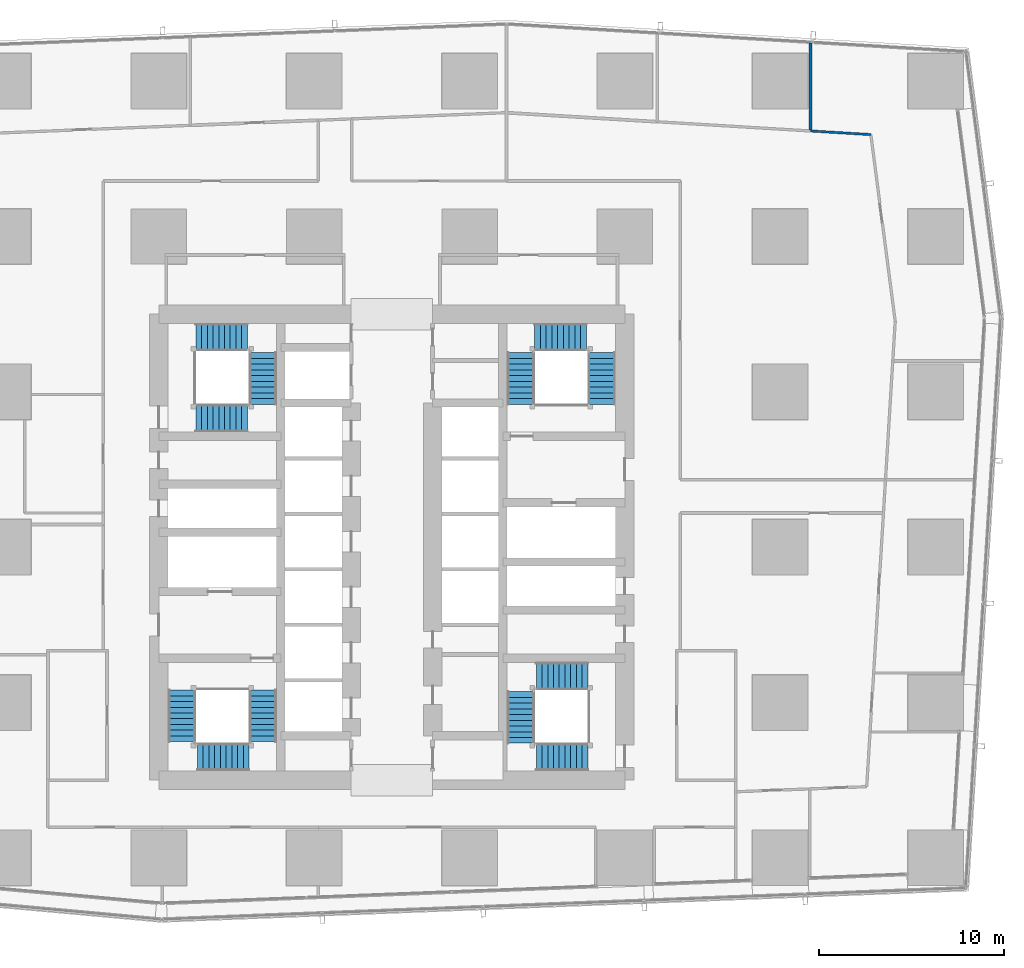
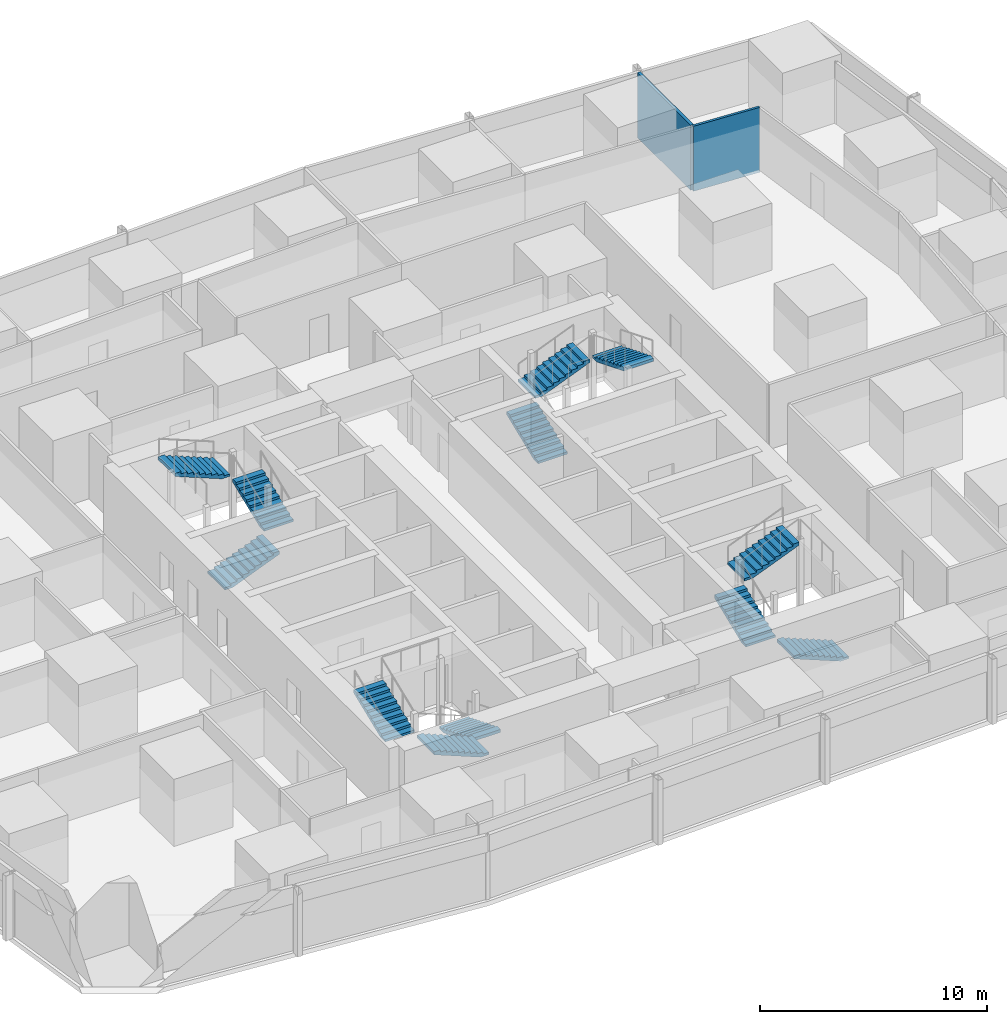
# One storey, part 32 of 39: 12 stair flights, 2 walls, 4 elements without a shape of their own.
"""IFC4 building model written with IfcOpenShell, lengths in metres."""

from ifc_helpers import new_model, si_unit, direction, frame, frame_2d, origin, place, context, subcontext, project, spatial, polyline, rectangle, outline, extrude, material, layer, layer_set, type_object, element, aggregate, save


model = new_model("IFC4")

# Units and contexts
model_context = context("Model", 3, precision=1e-05, world=origin(), true_north=direction((0.0, 1.0)))
body_context = subcontext(model_context, "Body", "Model", "MODEL_VIEW")
ifc_project = project(units=[si_unit("LENGTHUNIT", "METRE"), si_unit("AREAUNIT", "SQUARE_METRE"), si_unit("VOLUMEUNIT", "CUBIC_METRE"), si_unit("PLANEANGLEUNIT", "RADIAN"), si_unit("MASSUNIT", "GRAM", prefix="KILO")], contexts=[model_context])

# Site, building, storey
site_placement = place(None, origin())
site = spatial("IfcSite", under=ifc_project, at=site_placement, CompositionType="ELEMENT")
building_placement = place(site_placement, origin())
building = spatial("IfcBuilding", under=site, at=building_placement, Name="Rekha Terrace Tower", CompositionType="ELEMENT")
storey_placement = place(building_placement, frame((0.0, 0.0, 155.300048828125)))
storey = spatial("IfcBuildingStorey", under=building, at=storey_placement, Name="L39", CompositionType="ELEMENT", Elevation=155.300048828125)

# Walls
ifc_material_1 = material(Name="Concrete block masonry, 1 hour", Category="masonry")
ifc_layer_1 = layer(ifc_material_1, 0.14990234375)
ifc_layer_set_1 = layer_set([ifc_layer_1], Name="Concrete block masonry, 1 hour")
wall_type_1 = type_object("IfcWallType", Name="WP2 150 tenancy partition", PredefinedType="PARTITIONING", material=ifc_layer_set_1)
wall_1_placement = place(storey_placement, frame((60.43408203125, 56.1689453125, 0.0), z_axis=(0.0, 0.0, 1.0), x_axis=(0.0, 1.0, 0.0)))
element("IfcWall", 1, at=wall_1_placement, inside=storey, type_object=wall_type_1, Name="Partition L39-O1", PredefinedType="PARTITIONING", context=body_context, shape_type="SweptSolid", body=[
    extrude(rectangle(XDim=4.695068359375, YDim=0.14990234375, at=frame_2d((2.34765625, 0.0))), origin(), (0.0, 0.0, 1.0), 3.5),
])
ifc_material_2 = material(Name="Two layers of fire-rated gypsum board each side on steel studs, acoustic quilt, 1 hour", Category="steel")
ifc_layer_2 = layer(ifc_material_2, 0.125)
ifc_layer_set_2 = layer_set([ifc_layer_2], Name="Two layers of fire-rated gypsum board each side on steel studs, acoustic quilt, 1 hour")
wall_type_2 = type_object("IfcWallType", Name="WP3 125 office partition", PredefinedType="PARTITIONING", material=ifc_layer_set_2)
wall_2_placement = place(storey_placement, frame((63.700927734375, 55.909912109375, 0.0), z_axis=(0.0, 0.0, 1.0), x_axis=(-0.998203149813, 0.059920544913, 0.0)))
element("IfcWall", 2, at=wall_2_placement, inside=storey, type_object=wall_type_2, Name="Partition L39-08", PredefinedType="PARTITIONING", context=body_context, shape_type="SweptSolid", body=[
    extrude(rectangle(XDim=3.271728515625, YDim=0.125, at=frame_2d((1.6357421875, 0.0))), origin(), (0.0, 0.0, 1.0), 3.5),
])

# Stair, stair flights
ifc_material_3 = material(Name="Concrete M40", Category="concrete")
stair_type = type_object("IfcStairType", Name="ST30 stair, 30 risers of 125, going 310, 1500 wide flights, 3 flights", PredefinedType="HALF_TURN_STAIR", material=ifc_material_3)
stair_1_placement = place(storey_placement, origin())
stair_1 = element("IfcStair", 3, at=stair_1_placement, inside=storey, type_object=stair_type, Name="Stair ST1 L39 to L40", PredefinedType="HALF_TURN_STAIR")
stair_flight_type = type_object("IfcStairFlightType", Name="SF10 stair flight, 10 risers of 125, going 310, 1500 wide", PredefinedType="STRAIGHT", material=ifc_material_3)
stair_flight_1_placement = place(storey_placement, frame((30.824951171875, 25.875, 0.0), z_axis=(0.0, 0.0, 1.0), x_axis=(0.0, -1.0, 0.0)))
stair_flight_1 = element("IfcStairFlight", 4, at=stair_flight_1_placement, type_object=stair_flight_type, Name="ST1 flight 1", NumberOfRisers=10, NumberOfTreads=9, PredefinedType="STRAIGHT", RiserHeight=0.125, TreadLength=0.31, context=body_context, shape_type="SweptSolid", body=[
    extrude(outline(polyline([(0.0, 0.0), (0.0, 0.125), (0.31005859375, 0.125), (0.31005859375, 0.25), (0.6201171875, 0.25), (0.6201171875, 0.375), (0.929931640625, 0.375), (0.929931640625, 0.5), (1.239990234375, 0.5), (1.239990234375, 0.625), (1.550048828125, 0.625), (1.550048828125, 0.75), (1.860107421875, 0.75), (1.860107421875, 0.875), (2.169921875, 0.875), (2.169921875, 1.0), (2.47998046875, 1.0), (2.47998046875, 1.125), (2.7900390625, 1.125), (2.7900390625, 1.25), (2.7900390625, 0.96337890625), (0.40087890625, 0.0), (0.0, 0.0)])), frame((0.0, 0.75, 0.0), z_axis=(0.0, -1.0, 0.0), x_axis=(1.0, 0.0, 0.0)), (0.0, 0.0, 1.0), 1.5),
])
stair_flight_2_placement = place(storey_placement, frame((30.074951171875, 22.25, 1.25), z_axis=(0.0, 0.0, 1.0), x_axis=(-1.0, 0.0, 0.0)))
stair_flight_2 = element("IfcStairFlight", 5, at=stair_flight_2_placement, type_object=stair_flight_type, Name="ST1 flight 2", NumberOfRisers=10, NumberOfTreads=9, PredefinedType="STRAIGHT", RiserHeight=0.125, TreadLength=0.31, context=body_context, shape_type="SweptSolid", body=[
    extrude(outline(polyline([(0.0, 0.0), (0.0, 0.125), (0.31005859375, 0.125), (0.31005859375, 0.25), (0.6201171875, 0.25), (0.6201171875, 0.375), (0.929931640625, 0.375), (0.929931640625, 0.5), (1.239990234375, 0.5), (1.239990234375, 0.625), (1.550048828125, 0.625), (1.550048828125, 0.75), (1.860107421875, 0.75), (1.860107421875, 0.875), (2.169921875, 0.875), (2.169921875, 1.0), (2.47998046875, 1.0), (2.47998046875, 1.125), (2.7900390625, 1.125), (2.7900390625, 1.25), (2.7900390625, 0.96337890625), (0.40087890625, 0.0), (0.0, 0.0)])), frame((0.0, 0.75, 0.0), z_axis=(0.0, -1.0, 0.0), x_axis=(1.0, 0.0, 0.0)), (0.0, 0.0, 1.0), 1.5),
])
stair_flight_3_placement = place(storey_placement, frame((26.449951171875, 23.0849609375, 2.5), z_axis=(0.0, 0.0, 1.0), x_axis=(0.0, 1.0, 0.0)))
stair_flight_3 = element("IfcStairFlight", 6, at=stair_flight_3_placement, type_object=stair_flight_type, Name="ST1 flight 3", NumberOfRisers=10, NumberOfTreads=9, PredefinedType="STRAIGHT", RiserHeight=0.125, TreadLength=0.31, context=body_context, shape_type="SweptSolid", body=[
    extrude(outline(polyline([(0.0, 0.0), (0.0, 0.125), (0.31005859375, 0.125), (0.31005859375, 0.25), (0.6201171875, 0.25), (0.6201171875, 0.375), (0.929931640625, 0.375), (0.929931640625, 0.5), (1.239990234375, 0.5), (1.239990234375, 0.625), (1.550048828125, 0.625), (1.550048828125, 0.75), (1.860107421875, 0.75), (1.860107421875, 0.875), (2.169921875, 0.875), (2.169921875, 1.0), (2.47998046875, 1.0), (2.47998046875, 1.125), (2.7900390625, 1.125), (2.7900390625, 1.25), (2.7900390625, 0.96337890625), (0.40087890625, 0.0), (0.0, 0.0)])), frame((0.0, 0.75, 0.0), z_axis=(0.0, -1.0, 0.0), x_axis=(1.0, 0.0, 0.0)), (0.0, 0.0, 1.0), 1.5),
])
aggregate(stair_1, [stair_flight_1, stair_flight_2, stair_flight_3])

stair_2_placement = place(storey_placement, origin())
stair_2 = element("IfcStair", 7, at=stair_2_placement, inside=storey, type_object=stair_type, Name="Stair ST2 L39 to L40", PredefinedType="HALF_TURN_STAIR")
stair_flight_4_placement = place(storey_placement, frame((44.77490234375, 41.324951171875, 0.0), z_axis=(0.0, 0.0, 1.0), x_axis=(0.0, 1.0, 0.0)))
stair_flight_4 = element("IfcStairFlight", 8, at=stair_flight_4_placement, type_object=stair_flight_type, Name="ST2 flight 1", NumberOfRisers=10, NumberOfTreads=9, PredefinedType="STRAIGHT", RiserHeight=0.125, TreadLength=0.31, context=body_context, shape_type="SweptSolid", body=[
    extrude(outline(polyline([(0.0, 0.0), (0.0, 0.125), (0.31005859375, 0.125), (0.31005859375, 0.25), (0.6201171875, 0.25), (0.6201171875, 0.375), (0.929931640625, 0.375), (0.929931640625, 0.5), (1.239990234375, 0.5), (1.239990234375, 0.625), (1.550048828125, 0.625), (1.550048828125, 0.75), (1.860107421875, 0.75), (1.860107421875, 0.875), (2.169921875, 0.875), (2.169921875, 1.0), (2.47998046875, 1.0), (2.47998046875, 1.125), (2.7900390625, 1.125), (2.7900390625, 1.25), (2.7900390625, 0.96337890625), (0.40087890625, 0.0), (0.0, 0.0)])), frame((0.0, 0.75, 0.0), z_axis=(0.0, -1.0, 0.0), x_axis=(1.0, 0.0, 0.0)), (0.0, 0.0, 1.0), 1.5),
])
stair_flight_5_placement = place(storey_placement, frame((45.52490234375, 44.949951171875, 1.25), z_axis=(0.0, 0.0, 1.0), x_axis=(1.0, 0.0, 0.0)))
stair_flight_5 = element("IfcStairFlight", 9, at=stair_flight_5_placement, type_object=stair_flight_type, Name="ST2 flight 2", NumberOfRisers=10, NumberOfTreads=9, PredefinedType="STRAIGHT", RiserHeight=0.125, TreadLength=0.31, context=body_context, shape_type="SweptSolid", body=[
    extrude(outline(polyline([(0.0, 0.0), (0.0, 0.125), (0.31005859375, 0.125), (0.31005859375, 0.25), (0.6201171875, 0.25), (0.6201171875, 0.375), (0.929931640625, 0.375), (0.929931640625, 0.5), (1.239990234375, 0.5), (1.239990234375, 0.625), (1.550048828125, 0.625), (1.550048828125, 0.75), (1.860107421875, 0.75), (1.860107421875, 0.875), (2.169921875, 0.875), (2.169921875, 1.0), (2.47998046875, 1.0), (2.47998046875, 1.125), (2.7900390625, 1.125), (2.7900390625, 1.25), (2.7900390625, 0.96337890625), (0.40087890625, 0.0), (0.0, 0.0)])), frame((0.0, 0.75, 0.0), z_axis=(0.0, -1.0, 0.0), x_axis=(1.0, 0.0, 0.0)), (0.0, 0.0, 1.0), 1.5),
])
stair_flight_6_placement = place(storey_placement, frame((49.14990234375, 44.114990234375, 2.5), z_axis=(0.0, 0.0, 1.0), x_axis=(0.0, -1.0, 0.0)))
stair_flight_6 = element("IfcStairFlight", 10, at=stair_flight_6_placement, type_object=stair_flight_type, Name="ST2 flight 3", NumberOfRisers=10, NumberOfTreads=9, PredefinedType="STRAIGHT", RiserHeight=0.125, TreadLength=0.31, context=body_context, shape_type="SweptSolid", body=[
    extrude(outline(polyline([(0.0, 0.0), (0.0, 0.125), (0.31005859375, 0.125), (0.31005859375, 0.25), (0.6201171875, 0.25), (0.6201171875, 0.375), (0.929931640625, 0.375), (0.929931640625, 0.5), (1.239990234375, 0.5), (1.239990234375, 0.625), (1.550048828125, 0.625), (1.550048828125, 0.75), (1.860107421875, 0.75), (1.860107421875, 0.875), (2.169921875, 0.875), (2.169921875, 1.0), (2.47998046875, 1.0), (2.47998046875, 1.125), (2.7900390625, 1.125), (2.7900390625, 1.25), (2.7900390625, 0.96337890625), (0.40087890625, 0.0), (0.0, 0.0)])), frame((0.0, 0.75, 0.0), z_axis=(0.0, -1.0, 0.0), x_axis=(1.0, 0.0, 0.0)), (0.0, 0.0, 1.0), 1.5),
])
aggregate(stair_2, [stair_flight_4, stair_flight_5, stair_flight_6])

stair_3_placement = place(storey_placement, origin())
stair_3 = element("IfcStair", 11, at=stair_3_placement, inside=storey, type_object=stair_type, Name="Stair ST3 L39 to L40", PredefinedType="HALF_TURN_STAIR")
stair_flight_7_placement = place(storey_placement, frame((48.39990234375, 22.25, 0.0), z_axis=(0.0, 0.0, 1.0), x_axis=(-1.0, 0.0, 0.0)))
stair_flight_7 = element("IfcStairFlight", 12, at=stair_flight_7_placement, type_object=stair_flight_type, Name="ST3 flight 1", NumberOfRisers=10, NumberOfTreads=9, PredefinedType="STRAIGHT", RiserHeight=0.125, TreadLength=0.31, context=body_context, shape_type="SweptSolid", body=[
    extrude(outline(polyline([(0.0, 0.0), (0.0, 0.125), (0.31005859375, 0.125), (0.31005859375, 0.25), (0.6201171875, 0.25), (0.6201171875, 0.375), (0.929931640625, 0.375), (0.929931640625, 0.5), (1.239990234375, 0.5), (1.239990234375, 0.625), (1.550048828125, 0.625), (1.550048828125, 0.75), (1.860107421875, 0.75), (1.860107421875, 0.875), (2.169921875, 0.875), (2.169921875, 1.0), (2.47998046875, 1.0), (2.47998046875, 1.125), (2.7900390625, 1.125), (2.7900390625, 1.25), (2.7900390625, 0.96337890625), (0.40087890625, 0.0), (0.0, 0.0)])), frame((0.0, 0.75, 0.0), z_axis=(0.0, -1.0, 0.0), x_axis=(1.0, 0.0, 0.0)), (0.0, 0.0, 1.0), 1.5),
])
stair_flight_8_placement = place(storey_placement, frame((44.77490234375, 23.0, 1.25), z_axis=(0.0, 0.0, 1.0), x_axis=(0.0, 1.0, 0.0)))
stair_flight_8 = element("IfcStairFlight", 13, at=stair_flight_8_placement, type_object=stair_flight_type, Name="ST3 flight 2", NumberOfRisers=10, NumberOfTreads=9, PredefinedType="STRAIGHT", RiserHeight=0.125, TreadLength=0.31, context=body_context, shape_type="SweptSolid", body=[
    extrude(outline(polyline([(0.0, 0.0), (0.0, 0.125), (0.31005859375, 0.125), (0.31005859375, 0.25), (0.6201171875, 0.25), (0.6201171875, 0.375), (0.929931640625, 0.375), (0.929931640625, 0.5), (1.239990234375, 0.5), (1.239990234375, 0.625), (1.550048828125, 0.625), (1.550048828125, 0.75), (1.860107421875, 0.75), (1.860107421875, 0.875), (2.169921875, 0.875), (2.169921875, 1.0), (2.47998046875, 1.0), (2.47998046875, 1.125), (2.7900390625, 1.125), (2.7900390625, 1.25), (2.7900390625, 0.96337890625), (0.40087890625, 0.0), (0.0, 0.0)])), frame((0.0, 0.75, 0.0), z_axis=(0.0, -1.0, 0.0), x_axis=(1.0, 0.0, 0.0)), (0.0, 0.0, 1.0), 1.5),
])
stair_flight_9_placement = place(storey_placement, frame((45.610107421875, 26.625, 2.5), z_axis=(0.0, 0.0, 1.0), x_axis=(1.0, 0.0, 0.0)))
stair_flight_9 = element("IfcStairFlight", 14, at=stair_flight_9_placement, type_object=stair_flight_type, Name="ST3 flight 3", NumberOfRisers=10, NumberOfTreads=9, PredefinedType="STRAIGHT", RiserHeight=0.125, TreadLength=0.31, context=body_context, shape_type="SweptSolid", body=[
    extrude(outline(polyline([(0.0, 0.0), (0.0, 0.125), (0.31005859375, 0.125), (0.31005859375, 0.25), (0.6201171875, 0.25), (0.6201171875, 0.375), (0.929931640625, 0.375), (0.929931640625, 0.5), (1.239990234375, 0.5), (1.239990234375, 0.625), (1.550048828125, 0.625), (1.550048828125, 0.75), (1.860107421875, 0.75), (1.860107421875, 0.875), (2.169921875, 0.875), (2.169921875, 1.0), (2.47998046875, 1.0), (2.47998046875, 1.125), (2.7900390625, 1.125), (2.7900390625, 1.25), (2.7900390625, 0.96337890625), (0.40087890625, 0.0), (0.0, 0.0)])), frame((0.0, 0.75, 0.0), z_axis=(0.0, -1.0, 0.0), x_axis=(1.0, 0.0, 0.0)), (0.0, 0.0, 1.0), 1.5),
])
aggregate(stair_3, [stair_flight_7, stair_flight_8, stair_flight_9])

stair_4_placement = place(storey_placement, origin())
stair_4 = element("IfcStair", 15, at=stair_4_placement, inside=storey, type_object=stair_type, Name="Stair ST4 L39 to L40", PredefinedType="HALF_TURN_STAIR")
stair_flight_10_placement = place(storey_placement, frame((27.199951171875, 40.574951171875, 0.0), z_axis=(0.0, 0.0, 1.0), x_axis=(1.0, 0.0, 0.0)))
stair_flight_10 = element("IfcStairFlight", 16, at=stair_flight_10_placement, type_object=stair_flight_type, Name="ST4 flight 1", NumberOfRisers=10, NumberOfTreads=9, PredefinedType="STRAIGHT", RiserHeight=0.125, TreadLength=0.31, context=body_context, shape_type="SweptSolid", body=[
    extrude(outline(polyline([(0.0, 0.0), (0.0, 0.125), (0.31005859375, 0.125), (0.31005859375, 0.25), (0.6201171875, 0.25), (0.6201171875, 0.375), (0.929931640625, 0.375), (0.929931640625, 0.5), (1.239990234375, 0.5), (1.239990234375, 0.625), (1.550048828125, 0.625), (1.550048828125, 0.75), (1.860107421875, 0.75), (1.860107421875, 0.875), (2.169921875, 0.875), (2.169921875, 1.0), (2.47998046875, 1.0), (2.47998046875, 1.125), (2.7900390625, 1.125), (2.7900390625, 1.25), (2.7900390625, 0.96337890625), (0.40087890625, 0.0), (0.0, 0.0)])), frame((0.0, 0.75, 0.0), z_axis=(0.0, -1.0, 0.0), x_axis=(1.0, 0.0, 0.0)), (0.0, 0.0, 1.0), 1.5),
])
stair_flight_11_placement = place(storey_placement, frame((30.824951171875, 41.324951171875, 1.25), z_axis=(0.0, 0.0, 1.0), x_axis=(0.0, 1.0, 0.0)))
stair_flight_11 = element("IfcStairFlight", 17, at=stair_flight_11_placement, type_object=stair_flight_type, Name="ST4 flight 2", NumberOfRisers=10, NumberOfTreads=9, PredefinedType="STRAIGHT", RiserHeight=0.125, TreadLength=0.31, context=body_context, shape_type="SweptSolid", body=[
    extrude(outline(polyline([(0.0, 0.0), (0.0, 0.125), (0.31005859375, 0.125), (0.31005859375, 0.25), (0.6201171875, 0.25), (0.6201171875, 0.375), (0.929931640625, 0.375), (0.929931640625, 0.5), (1.239990234375, 0.5), (1.239990234375, 0.625), (1.550048828125, 0.625), (1.550048828125, 0.75), (1.860107421875, 0.75), (1.860107421875, 0.875), (2.169921875, 0.875), (2.169921875, 1.0), (2.47998046875, 1.0), (2.47998046875, 1.125), (2.7900390625, 1.125), (2.7900390625, 1.25), (2.7900390625, 0.96337890625), (0.40087890625, 0.0), (0.0, 0.0)])), frame((0.0, 0.75, 0.0), z_axis=(0.0, -1.0, 0.0), x_axis=(1.0, 0.0, 0.0)), (0.0, 0.0, 1.0), 1.5),
])
stair_flight_12_placement = place(storey_placement, frame((29.989990234375, 44.949951171875, 2.5), z_axis=(0.0, 0.0, 1.0), x_axis=(-1.0, 0.0, 0.0)))
stair_flight_12 = element("IfcStairFlight", 18, at=stair_flight_12_placement, type_object=stair_flight_type, Name="ST4 flight 3", NumberOfRisers=10, NumberOfTreads=9, PredefinedType="STRAIGHT", RiserHeight=0.125, TreadLength=0.31, context=body_context, shape_type="SweptSolid", body=[
    extrude(outline(polyline([(0.0, 0.0), (0.0, 0.125), (0.31005859375, 0.125), (0.31005859375, 0.25), (0.6201171875, 0.25), (0.6201171875, 0.375), (0.929931640625, 0.375), (0.929931640625, 0.5), (1.239990234375, 0.5), (1.239990234375, 0.625), (1.550048828125, 0.625), (1.550048828125, 0.75), (1.860107421875, 0.75), (1.860107421875, 0.875), (2.169921875, 0.875), (2.169921875, 1.0), (2.47998046875, 1.0), (2.47998046875, 1.125), (2.7900390625, 1.125), (2.7900390625, 1.25), (2.7900390625, 0.96337890625), (0.40087890625, 0.0), (0.0, 0.0)])), frame((0.0, 0.75, 0.0), z_axis=(0.0, -1.0, 0.0), x_axis=(1.0, 0.0, 0.0)), (0.0, 0.0, 1.0), 1.5),
])
aggregate(stair_4, [stair_flight_10, stair_flight_11, stair_flight_12])

save(model, "model.ifc")
